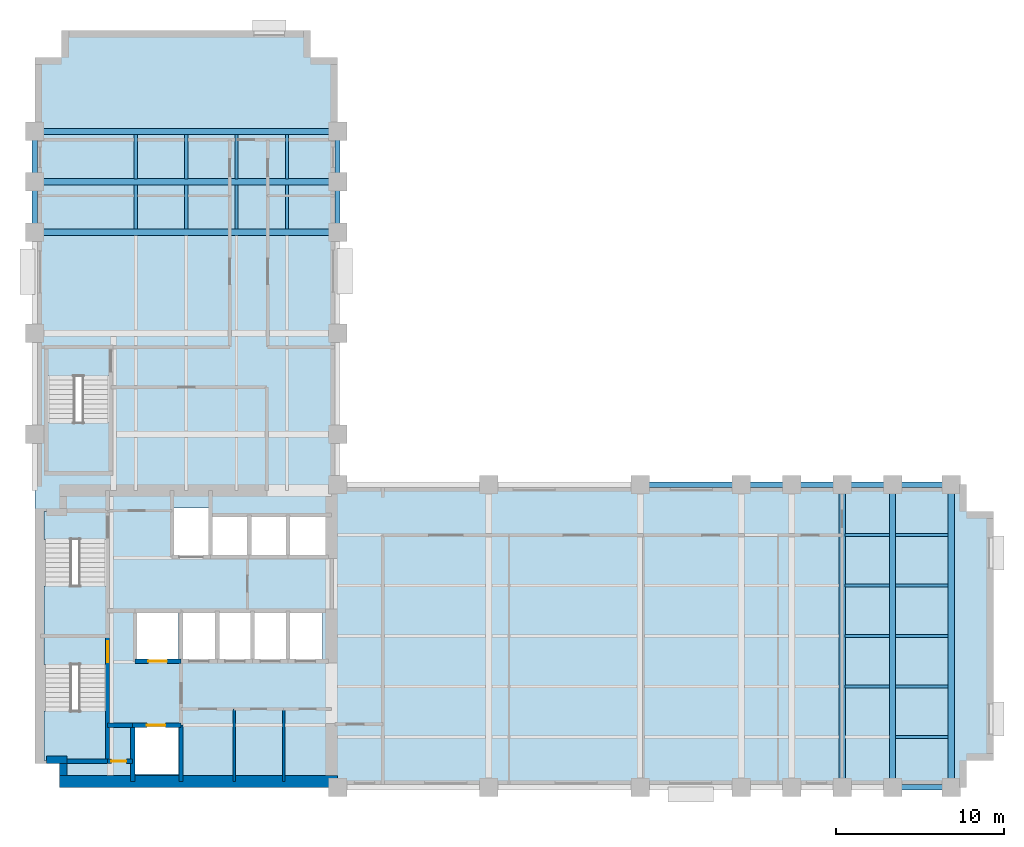
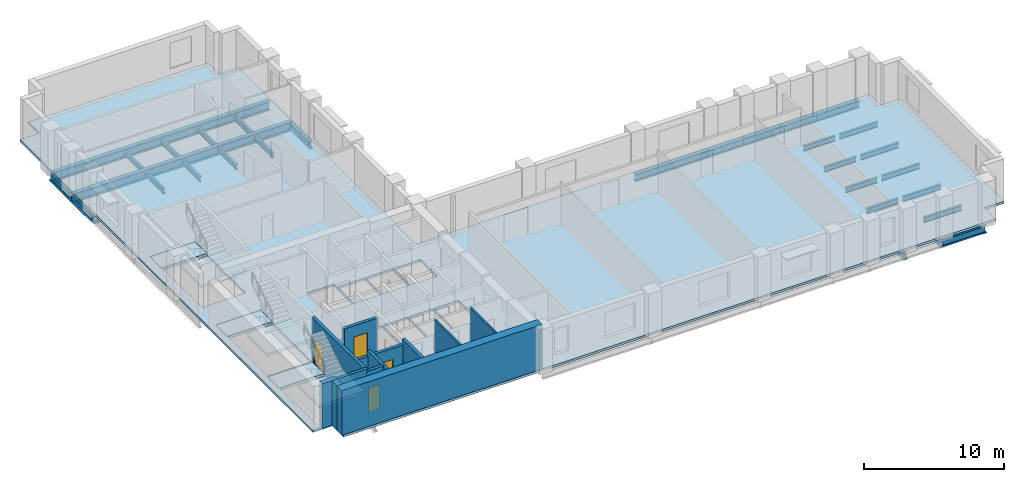
# One storey, part 2 of 8: 33 beams, 13 walls, 7 slabs, 4 doors, 4 openings, 3 elements without a shape of their own.
"""IFC4 building model written with IfcOpenShell, lengths in metres."""

from ifc_helpers import new_model, si_unit, direction, frame, frame_2d, origin, origin_2d, place, context, subcontext, project, spatial, polyline, rectangle, i_section, outline, extrude, material, layer, layer_set, material_profile, profile_set, type_object, element, fill, aggregate, save


model = new_model("IFC4")

# Units and contexts
model_context = context("Model", 3, precision=1e-05, world=origin(), true_north=direction((0.0, 1.0)))
body_context = subcontext(model_context, "Body", "Model", "MODEL_VIEW")
ifc_project = project(units=[si_unit("LENGTHUNIT", "METRE"), si_unit("AREAUNIT", "SQUARE_METRE"), si_unit("VOLUMEUNIT", "CUBIC_METRE"), si_unit("PLANEANGLEUNIT", "RADIAN"), si_unit("MASSUNIT", "GRAM", prefix="KILO")], contexts=[model_context])

# Site, building, storey
site_placement = place(None, origin())
site = spatial("IfcSite", under=ifc_project, at=site_placement, CompositionType="ELEMENT")
building_placement = place(site_placement, origin())
building = spatial("IfcBuilding", under=site, at=building_placement, Name="Mawjdan Bourse Tower", CompositionType="ELEMENT")
storey_placement = place(building_placement, frame((0.0, 0.0, 97.199951171875)))
storey = spatial("IfcBuildingStorey", under=building, at=storey_placement, Name="L22", CompositionType="ELEMENT", Elevation=97.199951171875)

# Beams
ifc_material_1 = material(Name="Structural Steel S355", Category="steel")
ifc_material_profile_1 = material_profile(ifc_material_1, i_section(OverallWidth=0.381103515625, OverallDepth=0.77294921875, WebThickness=0.0166015625, FlangeThickness=0.027099609375, FilletRadius=0.021728515625, at=origin_2d()), Name="W30X173")
ifc_profile_set_1 = profile_set([ifc_material_profile_1], Name="Structural Steel S355")
beam_type_1 = type_object("IfcBeamType", Name="GRD-W30X173", PredefinedType="BEAM", material=ifc_profile_set_1)
for number, where, z_axis, x_axis, name in (
    (1, (54.0, 3.0, -0.58642578125), (0.0, 1.0, 0.0), (-1.0, 0.0, 0.0), "L22 East Wing Clear-Span Girder 006"),
    (2, (57.0, 3.0, -0.58642578125), (0.0, 1.0, 0.0), (-1.0, 0.0, 0.0), "L22 East Wing Clear-Span Girder 007"),
    (3, (60.5, 3.0, -0.58642578125), (0.0, 1.0, 0.0), (-1.0, 0.0, 0.0), "L22 East Wing Clear-Span Girder 008"),
    (4, (6.0, 36.0, -0.58642578125), (1.0, 0.0, 0.0), (0.0, 1.0, 0.0), "L22 North Wing Clear-Span Girder 065"),
    (5, (6.0, 39.0, -0.58642578125), (1.0, 0.0, 0.0), (0.0, 1.0, 0.0), "L22 North Wing Clear-Span Girder 066"),
    (6, (6.0, 42.0, -0.58642578125), (1.0, 0.0, 0.0), (0.0, 1.0, 0.0), "L22 North Wing Clear-Span Girder 067"),
):
    element("IfcBeam", number, at=place(storey_placement, frame(where, z_axis=z_axis, x_axis=x_axis)), inside=storey, type_object=beam_type_1, Name=name, PredefinedType="BEAM", context=body_context, shape_type="SweptSolid", body=[
        extrude(i_section(OverallWidth=0.381103515625, OverallDepth=0.77294921875, WebThickness=0.0166015625, FlangeThickness=0.027099609375, FilletRadius=0.021728515625, at=origin_2d()), origin(), (0.0, 0.0, 1.0), 18.0),
    ])
ifc_material_profile_2 = material_profile(ifc_material_1, i_section(OverallWidth=0.19189453125, OverallDepth=0.462890625, WebThickness=0.010498046875, FlangeThickness=0.017578125, FilletRadius=0.01416015625, at=origin_2d()), Name="W18X60")
ifc_profile_set_2 = profile_set([ifc_material_profile_2], Name="Structural Steel S355")
beam_type_2 = type_object("IfcBeamType", Name="JST-W18X60", PredefinedType="JOIST", material=ifc_profile_set_2)
beam_1_placement = place(storey_placement, frame((57.1884765625, 6.0, -0.431396484375), z_axis=(1.0, 0.0, 0.0), x_axis=(0.0, 1.0, 0.0)))
element("IfcBeam", 7, at=beam_1_placement, inside=storey, type_object=beam_type_2, Name="L22 East Wing Composite Joist 029", PredefinedType="JOIST", context=body_context, shape_type="SweptSolid", body=[
    extrude(i_section(OverallWidth=0.19189453125, OverallDepth=0.462890625, WebThickness=0.010498046875, FlangeThickness=0.017578125, FilletRadius=0.01416015625, at=origin_2d()), origin(), (0.0, 0.0, 1.0), 3.123046875),
])
beam_2_placement = place(storey_placement, frame((54.1884765625, 9.0, -0.431396484375), z_axis=(1.0, 0.0, 0.0), x_axis=(0.0, 1.0, 0.0)))
element("IfcBeam", 8, at=beam_2_placement, inside=storey, type_object=beam_type_2, Name="L22 East Wing Composite Joist 035", PredefinedType="JOIST", context=body_context, shape_type="SweptSolid", body=[
    extrude(i_section(OverallWidth=0.19189453125, OverallDepth=0.462890625, WebThickness=0.010498046875, FlangeThickness=0.017578125, FilletRadius=0.01416015625, at=origin_2d()), origin(), (0.0, 0.0, 1.0), 2.623046875),
])
beam_3_placement = place(storey_placement, frame((57.1884765625, 9.0, -0.431396484375), z_axis=(1.0, 0.0, 0.0), x_axis=(0.0, 1.0, 0.0)))
element("IfcBeam", 9, at=beam_3_placement, inside=storey, type_object=beam_type_2, Name="L22 East Wing Composite Joist 036", PredefinedType="JOIST", context=body_context, shape_type="SweptSolid", body=[
    extrude(i_section(OverallWidth=0.19189453125, OverallDepth=0.462890625, WebThickness=0.010498046875, FlangeThickness=0.017578125, FilletRadius=0.01416015625, at=origin_2d()), origin(), (0.0, 0.0, 1.0), 3.123046875),
])
beam_4_placement = place(storey_placement, frame((54.1884765625, 12.0, -0.431396484375), z_axis=(1.0, 0.0, 0.0), x_axis=(0.0, 1.0, 0.0)))
element("IfcBeam", 10, at=beam_4_placement, inside=storey, type_object=beam_type_2, Name="L22 East Wing Composite Joist 042", PredefinedType="JOIST", context=body_context, shape_type="SweptSolid", body=[
    extrude(i_section(OverallWidth=0.19189453125, OverallDepth=0.462890625, WebThickness=0.010498046875, FlangeThickness=0.017578125, FilletRadius=0.01416015625, at=origin_2d()), origin(), (0.0, 0.0, 1.0), 2.623046875),
])
beam_5_placement = place(storey_placement, frame((57.1884765625, 12.0, -0.431396484375), z_axis=(1.0, 0.0, 0.0), x_axis=(0.0, 1.0, 0.0)))
element("IfcBeam", 11, at=beam_5_placement, inside=storey, type_object=beam_type_2, Name="L22 East Wing Composite Joist 043", PredefinedType="JOIST", context=body_context, shape_type="SweptSolid", body=[
    extrude(i_section(OverallWidth=0.19189453125, OverallDepth=0.462890625, WebThickness=0.010498046875, FlangeThickness=0.017578125, FilletRadius=0.01416015625, at=origin_2d()), origin(), (0.0, 0.0, 1.0), 3.123046875),
])
beam_6_placement = place(storey_placement, frame((54.1884765625, 15.0, -0.431396484375), z_axis=(1.0, 0.0, 0.0), x_axis=(0.0, 1.0, 0.0)))
element("IfcBeam", 12, at=beam_6_placement, inside=storey, type_object=beam_type_2, Name="L22 East Wing Composite Joist 049", PredefinedType="JOIST", context=body_context, shape_type="SweptSolid", body=[
    extrude(i_section(OverallWidth=0.19189453125, OverallDepth=0.462890625, WebThickness=0.010498046875, FlangeThickness=0.017578125, FilletRadius=0.01416015625, at=origin_2d()), origin(), (0.0, 0.0, 1.0), 2.623046875),
])
beam_7_placement = place(storey_placement, frame((57.1884765625, 15.0, -0.431396484375), z_axis=(1.0, 0.0, 0.0), x_axis=(0.0, 1.0, 0.0)))
element("IfcBeam", 13, at=beam_7_placement, inside=storey, type_object=beam_type_2, Name="L22 East Wing Composite Joist 050", PredefinedType="JOIST", context=body_context, shape_type="SweptSolid", body=[
    extrude(i_section(OverallWidth=0.19189453125, OverallDepth=0.462890625, WebThickness=0.010498046875, FlangeThickness=0.017578125, FilletRadius=0.01416015625, at=origin_2d()), origin(), (0.0, 0.0, 1.0), 3.123046875),
])
beam_8_placement = place(storey_placement, frame((54.1884765625, 18.0, -0.431396484375), z_axis=(1.0, 0.0, 0.0), x_axis=(0.0, 1.0, 0.0)))
element("IfcBeam", 14, at=beam_8_placement, inside=storey, type_object=beam_type_2, Name="L22 East Wing Composite Joist 056", PredefinedType="JOIST", context=body_context, shape_type="SweptSolid", body=[
    extrude(i_section(OverallWidth=0.19189453125, OverallDepth=0.462890625, WebThickness=0.010498046875, FlangeThickness=0.017578125, FilletRadius=0.01416015625, at=origin_2d()), origin(), (0.0, 0.0, 1.0), 2.623046875),
])
beam_9_placement = place(storey_placement, frame((57.1884765625, 18.0, -0.431396484375), z_axis=(1.0, 0.0, 0.0), x_axis=(0.0, 1.0, 0.0)))
element("IfcBeam", 15, at=beam_9_placement, inside=storey, type_object=beam_type_2, Name="L22 East Wing Composite Joist 057", PredefinedType="JOIST", context=body_context, shape_type="SweptSolid", body=[
    extrude(i_section(OverallWidth=0.19189453125, OverallDepth=0.462890625, WebThickness=0.010498046875, FlangeThickness=0.017578125, FilletRadius=0.01416015625, at=origin_2d()), origin(), (0.0, 0.0, 1.0), 3.123046875),
])
for number, where, z_axis, x_axis, name in (
    (16, (12.0, 36.1884765625, -0.431396484375), (0.0, 1.0, 0.0), (-1.0, 0.0, 0.0), "L22 North Wing Composite Joist 081"),
    (17, (12.0, 39.1884765625, -0.431396484375), (0.0, 1.0, 0.0), (-1.0, 0.0, 0.0), "L22 North Wing Composite Joist 082"),
    (18, (15.0, 36.1884765625, -0.431396484375), (0.0, 1.0, 0.0), (-1.0, 0.0, 0.0), "L22 North Wing Composite Joist 086"),
    (19, (15.0, 39.1884765625, -0.431396484375), (0.0, 1.0, 0.0), (-1.0, 0.0, 0.0), "L22 North Wing Composite Joist 087"),
    (20, (18.0, 36.1884765625, -0.431396484375), (0.0, 1.0, 0.0), (-1.0, 0.0, 0.0), "L22 North Wing Composite Joist 091"),
    (21, (18.0, 39.1884765625, -0.431396484375), (0.0, 1.0, 0.0), (-1.0, 0.0, 0.0), "L22 North Wing Composite Joist 092"),
    (22, (21.0, 36.1884765625, -0.431396484375), (0.0, 1.0, 0.0), (-1.0, 0.0, 0.0), "L22 North Wing Composite Joist 096"),
    (23, (21.0, 39.1884765625, -0.431396484375), (0.0, 1.0, 0.0), (-1.0, 0.0, 0.0), "L22 North Wing Composite Joist 097"),
):
    element("IfcBeam", number, at=place(storey_placement, frame(where, z_axis=z_axis, x_axis=x_axis)), inside=storey, type_object=beam_type_2, Name=name, PredefinedType="JOIST", context=body_context, shape_type="SweptSolid", body=[
        extrude(i_section(OverallWidth=0.19189453125, OverallDepth=0.462890625, WebThickness=0.010498046875, FlangeThickness=0.017578125, FilletRadius=0.01416015625, at=origin_2d()), origin(), (0.0, 0.0, 1.0), 2.623046875),
    ])
ifc_material_profile_3 = material_profile(ifc_material_1, i_section(OverallWidth=0.324951171875, OverallDepth=0.616943359375, WebThickness=0.013916015625, FlangeThickness=0.021484375, FilletRadius=0.017333984375, at=origin_2d()), Name="W24X117")
ifc_profile_set_3 = profile_set([ifc_material_profile_3], Name="Structural Steel S355")
beam_type_3 = type_object("IfcBeamType", Name="SPN-W24X117", PredefinedType="SPANDREL", material=ifc_profile_set_3)
beam_10_placement = place(storey_placement, frame((57.0, 3.0, -0.508544921875), z_axis=(1.0, 0.0, 0.0), x_axis=(0.0, 1.0, 0.0)))
element("IfcBeam", 24, at=beam_10_placement, inside=storey, type_object=beam_type_3, Name="L22 Perimeter Masonry-Shelf Spandrel 015", PredefinedType="SPANDREL", context=body_context, shape_type="SweptSolid", body=[
    extrude(i_section(OverallWidth=0.324951171875, OverallDepth=0.616943359375, WebThickness=0.013916015625, FlangeThickness=0.021484375, FilletRadius=0.017333984375, at=origin_2d()), origin(), (0.0, 0.0, 1.0), 3.5),
])
beam_11_placement = place(storey_placement, frame((42.0, 21.0, -0.508544921875), z_axis=(1.0, 0.0, 0.0), x_axis=(0.0, 1.0, 0.0)))
element("IfcBeam", 25, at=beam_11_placement, inside=storey, type_object=beam_type_3, Name="L22 Perimeter Masonry-Shelf Spandrel 018", PredefinedType="SPANDREL", context=body_context, shape_type="SweptSolid", body=[
    extrude(i_section(OverallWidth=0.324951171875, OverallDepth=0.616943359375, WebThickness=0.013916015625, FlangeThickness=0.021484375, FilletRadius=0.017333984375, at=origin_2d()), origin(), (0.0, 0.0, 1.0), 6.0),
])
for number, where, z_axis, x_axis, name in (
    (26, (48.0, 21.0, -0.508544921875), (1.0, 0.0, 0.0), (0.0, 1.0, 0.0), "L22 Perimeter Masonry-Shelf Spandrel 019"),
    (27, (51.0, 21.0, -0.508544921875), (1.0, 0.0, 0.0), (0.0, 1.0, 0.0), "L22 Perimeter Masonry-Shelf Spandrel 020"),
    (28, (54.0, 21.0, -0.508544921875), (1.0, 0.0, 0.0), (0.0, 1.0, 0.0), "L22 Perimeter Masonry-Shelf Spandrel 021"),
):
    element("IfcBeam", number, at=place(storey_placement, frame(where, z_axis=z_axis, x_axis=x_axis)), inside=storey, type_object=beam_type_3, Name=name, PredefinedType="SPANDREL", context=body_context, shape_type="SweptSolid", body=[
        extrude(i_section(OverallWidth=0.324951171875, OverallDepth=0.616943359375, WebThickness=0.013916015625, FlangeThickness=0.021484375, FilletRadius=0.017333984375, at=origin_2d()), origin(), (0.0, 0.0, 1.0), 3.0),
    ])
beam_12_placement = place(storey_placement, frame((57.0, 21.0, -0.508544921875), z_axis=(1.0, 0.0, 0.0), x_axis=(0.0, 1.0, 0.0)))
element("IfcBeam", 29, at=beam_12_placement, inside=storey, type_object=beam_type_3, Name="L22 Perimeter Masonry-Shelf Spandrel 022", PredefinedType="SPANDREL", context=body_context, shape_type="SweptSolid", body=[
    extrude(i_section(OverallWidth=0.324951171875, OverallDepth=0.616943359375, WebThickness=0.013916015625, FlangeThickness=0.021484375, FilletRadius=0.017333984375, at=origin_2d()), origin(), (0.0, 0.0, 1.0), 3.5),
])
for number, where, z_axis, x_axis, name in (
    (30, (6.0, 36.0, -0.508544921875), (0.0, 1.0, 0.0), (-1.0, 0.0, 0.0), "L22 North Wing Spandrel 071"),
    (31, (6.0, 39.0, -0.508544921875), (0.0, 1.0, 0.0), (-1.0, 0.0, 0.0), "L22 North Wing Spandrel 072"),
    (32, (24.0, 36.0, -0.508544921875), (0.0, 1.0, 0.0), (-1.0, 0.0, 0.0), "L22 North Wing Spandrel 076"),
    (33, (24.0, 39.0, -0.508544921875), (0.0, 1.0, 0.0), (-1.0, 0.0, 0.0), "L22 North Wing Spandrel 077"),
):
    element("IfcBeam", number, at=place(storey_placement, frame(where, z_axis=z_axis, x_axis=x_axis)), inside=storey, type_object=beam_type_3, Name=name, PredefinedType="SPANDREL", context=body_context, shape_type="SweptSolid", body=[
        extrude(i_section(OverallWidth=0.324951171875, OverallDepth=0.616943359375, WebThickness=0.013916015625, FlangeThickness=0.021484375, FilletRadius=0.017333984375, at=origin_2d()), origin(), (0.0, 0.0, 1.0), 3.0),
    ])

# Stair, slabs
ifc_material_2 = material(Name="Concrete C50/60", Category="concrete")
stair_type = type_object("IfcStairType", Name="STR-CORE-1500", PredefinedType="HALF_TURN_STAIR", material=ifc_material_2)
stair_1_placement = place(storey_placement, origin())
stair_1 = element("IfcStair", 34, at=stair_1_placement, inside=storey, type_object=stair_type, Name="L22 Exit Stair 1 (Core South-West)", PredefinedType="HALF_TURN_STAIR")
ifc_layer_1 = layer(ifc_material_2, 0.22998046875)
ifc_layer_set_1 = layer_set([ifc_layer_1], Name="Concrete C50/60")
slab_type_1 = type_object("IfcSlabType", Name="SL-LND-230", PredefinedType="LANDING", material=ifc_layer_set_1)
slab_1_placement = place(storey_placement, frame((0.0, 0.0, -0.22998046875)))
slab_1 = element("IfcSlab", 35, at=slab_1_placement, type_object=slab_type_1, Name="ST1-L22 landing 1", PredefinedType="LANDING", context=body_context, shape_type="SweptSolid", body=[
    extrude(outline(polyline([(6.5400390625, 10.31005859375), (10.260009765625, 10.31005859375), (10.260009765625, 11.969970703125), (6.5400390625, 11.969970703125), (6.5400390625, 10.31005859375)])), origin(), (0.0, 0.0, 1.0), 0.22998046875),
])
slab_2_placement = place(storey_placement, frame((0.0, 0.0, 1.719970703125)))
slab_2 = element("IfcSlab", 36, at=slab_2_placement, type_object=slab_type_1, Name="ST1-L22 landing 2", PredefinedType="LANDING", context=body_context, shape_type="SweptSolid", body=[
    extrude(outline(polyline([(6.5400390625, 4.590087890625), (10.260009765625, 4.590087890625), (10.260009765625, 7.5400390625), (6.5400390625, 7.5400390625), (6.5400390625, 4.590087890625)])), origin(), (0.0, 0.0, 1.0), 0.22998046875),
])
aggregate(stair_1, [slab_1, slab_2])

stair_2_placement = place(storey_placement, origin())
stair_2 = element("IfcStair", 37, at=stair_2_placement, inside=storey, type_object=stair_type, Name="L22 Exit Stair 2 (Core North-West)", PredefinedType="HALF_TURN_STAIR")
slab_3_placement = place(storey_placement, frame((0.0, 0.0, -0.22998046875)))
slab_3 = element("IfcSlab", 38, at=slab_3_placement, type_object=slab_type_1, Name="ST2-L22 landing 1", PredefinedType="LANDING", context=body_context, shape_type="SweptSolid", body=[
    extrude(outline(polyline([(6.5400390625, 17.75), (10.260009765625, 17.75), (10.260009765625, 19.409912109375), (6.5400390625, 19.409912109375), (6.5400390625, 17.75)])), origin(), (0.0, 0.0, 1.0), 0.22998046875),
])
slab_4_placement = place(storey_placement, frame((0.0, 0.0, 1.719970703125)))
slab_4 = element("IfcSlab", 39, at=slab_4_placement, type_object=slab_type_1, Name="ST2-L22 landing 2", PredefinedType="LANDING", context=body_context, shape_type="SweptSolid", body=[
    extrude(outline(polyline([(6.5400390625, 12.030029296875), (10.260009765625, 12.030029296875), (10.260009765625, 14.97998046875), (6.5400390625, 14.97998046875), (6.5400390625, 12.030029296875)])), origin(), (0.0, 0.0, 1.0), 0.22998046875),
])
aggregate(stair_2, [slab_3, slab_4])

stair_3_placement = place(storey_placement, origin())
stair_3 = element("IfcStair", 40, at=stair_3_placement, inside=storey, type_object=stair_type, Name="L22 Exit Stair 3 (North Wing)", PredefinedType="HALF_TURN_STAIR")
slab_5_placement = place(storey_placement, frame((0.0, 0.0, -0.22998046875)))
slab_5 = element("IfcSlab", 41, at=slab_5_placement, type_object=slab_type_1, Name="ST3-L22 landing 1", PredefinedType="LANDING", context=body_context, shape_type="SweptSolid", body=[
    extrude(outline(polyline([(6.739990234375, 27.4599609375), (10.4599609375, 27.4599609375), (10.4599609375, 29.1201171875), (6.739990234375, 29.1201171875), (6.739990234375, 27.4599609375)])), origin(), (0.0, 0.0, 1.0), 0.22998046875),
])
slab_6_placement = place(storey_placement, frame((0.0, 0.0, 1.719970703125)))
slab_6 = element("IfcSlab", 42, at=slab_6_placement, type_object=slab_type_1, Name="ST3-L22 landing 2", PredefinedType="LANDING", context=body_context, shape_type="SweptSolid", body=[
    extrude(outline(polyline([(6.739990234375, 21.739990234375), (10.4599609375, 21.739990234375), (10.4599609375, 24.68994140625), (6.739990234375, 24.68994140625), (6.739990234375, 21.739990234375)])), origin(), (0.0, 0.0, 1.0), 0.22998046875),
])
aggregate(stair_3, [slab_5, slab_6])

# Slab
ifc_layer_2 = layer(ifc_material_2, 0.199951171875)
ifc_layer_set_2 = layer_set([ifc_layer_2], Name="Concrete C50/60")
slab_type_2 = type_object("IfcSlabType", Name="SL-OFC-200", PredefinedType="FLOOR", material=ifc_layer_set_2)
slab_7_placement = place(storey_placement, frame((0.0, 0.0, -0.199951171875)))
element("IfcSlab", 43, at=slab_7_placement, inside=storey, type_object=slab_type_2, Name="L22 Structural Floor Slab 1", PredefinedType="FLOOR", context=body_context, shape_type="SweptSolid", body=[
    extrude(outline(polyline([(7.60009765625, 3.0), (61.39990234375, 3.0), (61.39990234375, 4.60009765625), (63.0, 4.60009765625), (63.0, 19.39990234375), (61.39990234375, 19.39990234375), (61.39990234375, 21.0), (24.0, 21.0), (24.0, 46.39990234375), (22.39990234375, 46.39990234375), (22.39990234375, 48.0), (7.60009765625, 48.0), (7.60009765625, 46.39990234375), (6.0, 46.39990234375), (6.0, 4.60009765625), (7.60009765625, 4.60009765625), (7.60009765625, 3.0)]), holes=[polyline([(11.949951171875, 3.800048828125), (11.949951171875, 6.60009765625), (14.550048828125, 6.60009765625), (14.550048828125, 3.800048828125), (11.949951171875, 3.800048828125)]), polyline([(6.60009765625, 10.31005859375), (6.5400390625, 10.31005859375), (6.5400390625, 11.969970703125), (10.260009765625, 11.969970703125), (10.260009765625, 10.31005859375), (10.199951171875, 10.31005859375), (10.199951171875, 4.64990234375), (6.60009765625, 4.64990234375), (6.60009765625, 10.31005859375)]), polyline([(12.050048828125, 10.60009765625), (12.050048828125, 13.39990234375), (14.550048828125, 13.39990234375), (14.550048828125, 10.60009765625), (12.050048828125, 10.60009765625)]), polyline([(10.260009765625, 19.409912109375), (10.260009765625, 17.75), (10.199951171875, 17.75), (10.199951171875, 12.090087890625), (6.60009765625, 12.090087890625), (6.60009765625, 17.75), (6.5400390625, 17.75), (6.5400390625, 19.409912109375), (10.260009765625, 19.409912109375)]), polyline([(10.4599609375, 29.1201171875), (10.4599609375, 27.4599609375), (10.39990234375, 27.4599609375), (10.39990234375, 21.800048828125), (6.800048828125, 21.800048828125), (6.800048828125, 27.4599609375), (6.739990234375, 27.4599609375), (6.739990234375, 29.1201171875), (10.4599609375, 29.1201171875)]), polyline([(14.800048828125, 10.60009765625), (14.800048828125, 13.39990234375), (16.800048828125, 13.39990234375), (16.800048828125, 10.60009765625), (14.800048828125, 10.60009765625)]), polyline([(16.89990234375, 10.60009765625), (16.89990234375, 13.39990234375), (18.89990234375, 13.39990234375), (18.89990234375, 10.60009765625), (16.89990234375, 10.60009765625)]), polyline([(19.0, 10.60009765625), (19.0, 13.39990234375), (21.0, 13.39990234375), (21.0, 10.60009765625), (19.0, 10.60009765625)]), polyline([(21.10009765625, 10.60009765625), (21.10009765625, 13.39990234375), (23.10009765625, 13.39990234375), (23.10009765625, 10.60009765625), (21.10009765625, 10.60009765625)]), polyline([(16.5, 16.800048828125), (16.5, 19.14990234375), (18.699951171875, 19.14990234375), (18.699951171875, 16.800048828125), (16.5, 16.800048828125)]), polyline([(18.800048828125, 16.800048828125), (18.800048828125, 19.14990234375), (21.0, 19.14990234375), (21.0, 16.800048828125), (18.800048828125, 16.800048828125)]), polyline([(21.10009765625, 16.800048828125), (21.10009765625, 19.14990234375), (23.300048828125, 19.14990234375), (23.300048828125, 16.800048828125), (21.10009765625, 16.800048828125)]), polyline([(14.199951171875, 16.800048828125), (14.199951171875, 19.60009765625), (16.39990234375, 19.60009765625), (16.39990234375, 16.800048828125), (14.199951171875, 16.800048828125)])]), origin(), (0.0, 0.0, 1.0), 0.199951171875),
])

# Walls
ifc_material_3 = material(Name="Concrete C60/75", Category="concrete")
ifc_layer_3 = layer(ifc_material_3, 0.449951171875)
ifc_layer_set_3 = layer_set([ifc_layer_3], Name="Concrete C60/75")
wall_type_1 = type_object("IfcWallType", Name="WL-CORE-450", PredefinedType="SHEAR", material=ifc_layer_set_3)
wall_1_placement = place(storey_placement, frame((6.699951171875, 4.64990234375, 0.0), z_axis=(0.0, 0.0, 1.0), x_axis=(1.0, 0.0, 0.0)))
element("IfcWall", 44, at=wall_1_placement, inside=storey, type_object=wall_type_1, Name="L22 Rear Core Shear Wall SW-X", PredefinedType="SHEAR", context=body_context, shape_type="SweptSolid", body=[
    extrude(rectangle(XDim=1.22509765625, YDim=0.449951171875, at=frame_2d((0.612548828125, 0.0))), origin(), (0.0, 0.0, 1.0), 3.900146484375),
])
wall_2_placement = place(storey_placement, frame((7.699951171875, 3.699951171875, 0.0), z_axis=(0.0, 0.0, 1.0), x_axis=(0.0, 1.0, 0.0)))
element("IfcWall", 45, at=wall_2_placement, inside=storey, type_object=wall_type_1, Name="L22 Rear Core Shear Wall SW-Y", PredefinedType="SHEAR", context=body_context, shape_type="SweptSolid", body=[
    extrude(rectangle(XDim=0.72509765625, YDim=0.449951171875, at=frame_2d((0.362548828125, 0.0))), origin(), (0.0, 0.0, 1.0), 3.900146484375),
])
ifc_material_4 = material(Name="Concrete C70/85", Category="concrete")
ifc_layer_4 = layer(ifc_material_4, 0.699951171875)
ifc_layer_set_4 = layer_set([ifc_layer_4], Name="Concrete C70/85")
wall_type_2 = type_object("IfcWallType", Name="WL-CORE-700", PredefinedType="SHEAR", material=ifc_layer_set_4)
wall_3_placement = place(storey_placement, frame((7.47509765625, 3.35009765625, 0.0), z_axis=(0.0, 0.0, 1.0), x_axis=(1.0, 0.0, 0.0)))
element("IfcWall", 46, at=wall_3_placement, inside=storey, type_object=wall_type_2, Name="L22 Rear Core Shear Wall S", PredefinedType="SHEAR", context=body_context, shape_type="SweptSolid", body=[
    extrude(rectangle(XDim=16.52490234375, YDim=0.699951171875, at=frame_2d((8.262451171875, 0.0))), origin(), (0.0, 0.0, 1.0), 3.900146484375),
])
ifc_material_5 = material(Name="Gypsum Acoustic Partition")
ifc_layer_5 = layer(ifc_material_5, 0.14990234375)
ifc_layer_set_5 = layer_set([ifc_layer_5], Name="Gypsum Acoustic Partition")
wall_type_3 = type_object("IfcWallType", Name="WL-PRT-150", PredefinedType="PARTITIONING", material=ifc_layer_set_5)
for number, where, z_axis, x_axis, name in (
    (47, (17.85009765625, 3.35009765625, 0.0), (0.0, 0.0, 1.0), (0.0, 1.0, 0.0), "L22 Electrical Switchboard Room Core Split Wall"),
    (48, (20.800048828125, 3.35009765625, 0.0), (0.0, 0.0, 1.0), (0.0, 1.0, 0.0), "L22 Staff Beverage Pantry Core Split Wall"),
):
    element("IfcWall", number, at=place(storey_placement, frame(where, z_axis=z_axis, x_axis=x_axis)), inside=storey, type_object=wall_type_3, Name=name, PredefinedType="PARTITIONING", context=body_context, shape_type="SweptSolid", body=[
        extrude(rectangle(XDim=4.309814453125, YDim=0.14990234375, at=frame_2d((2.15478515625, 0.0))), origin(), (0.0, 0.0, 1.0), 3.68994140625),
    ])

# Wall, opening, door
ifc_layer_6 = layer(ifc_material_2, 0.25)
ifc_layer_set_6 = layer_set([ifc_layer_6], Name="Concrete C50/60")
wall_type_4 = type_object("IfcWallType", Name="WL-SHFT-250", PredefinedType="PARTITIONING", material=ifc_layer_set_6)
wall_4_placement = place(storey_placement, frame((10.330078125, 4.550048828125, 0.0), z_axis=(0.0, 0.0, 1.0), x_axis=(1.0, 0.0, 0.0)))
wall_4 = element("IfcWall", 49, at=wall_4_placement, inside=storey, type_object=wall_type_4, Name="L22 SW Riser North Wall", PredefinedType="PARTITIONING", context=body_context, shape_type="SweptSolid", body=[
    extrude(rectangle(XDim=1.489990234375, YDim=0.25, at=frame_2d((0.7451171875, 0.0))), origin(), (0.0, 0.0, 1.0), 3.68994140625),
])
opening_1_placement = place(wall_4_placement, frame((0.219970703125, 0.0, 0.0)))
opening_1 = element("IfcOpeningElement", 50, at=opening_1_placement, cuts=wall_4, Name="Opening RD-L22-03", PredefinedType="OPENING", context=body_context, shape_type="SweptSolid", body=[
    extrude(rectangle(XDim=0.89990234375, YDim=2.10009765625, at=frame_2d((0.449951171875, 1.050048828125))), frame((0.0, 0.135009765625, 0.0), z_axis=(0.0, -1.0, 0.0), x_axis=(1.0, 0.0, 0.0)), (0.0, 0.0, 1.0), 0.27001953125),
])
ifc_material_6 = material(Name="Fire-Rated Steel Access Leaf", Category="steel")
door_type_1 = type_object("IfcDoorType", Name="FD-RSR-0900", OperationType="NOTDEFINED", PredefinedType="TRAPDOOR", material=ifc_material_6)
door_1_placement = place(opening_1_placement, origin())
door_1 = element("IfcDoor", 51, at=door_1_placement, inside=storey, type_object=door_type_1, Name="L22 Electrical Riser Access Door RD-L22-03", OperationType="SINGLE_SWING_LEFT", OverallHeight=2.10009765625, OverallWidth=0.89990234375, PredefinedType="TRAPDOOR", context=body_context, shape_type="SweptSolid", body=[
    extrude(rectangle(XDim=0.89990234375, YDim=2.10009765625, at=frame_2d((0.449951171875, 1.050048828125))), frame((0.0, 0.02490234375, 0.0), z_axis=(0.0, -1.0, 0.0), x_axis=(1.0, 0.0, 0.0)), (0.0, 0.0, 1.0), 0.050048828125),
])
fill(opening_1, door_1)

# Wall
wall_5_placement = place(storey_placement, frame((11.820068359375, 3.35009765625, 0.0), z_axis=(0.0, 0.0, 1.0), x_axis=(0.0, 1.0, 0.0)))
element("IfcWall", 52, at=wall_5_placement, inside=storey, type_object=wall_type_4, Name="L22 SW Riser & FFL01 West Wall", PredefinedType="PARTITIONING", context=body_context, shape_type="SweptSolid", body=[
    extrude(rectangle(XDim=3.349853515625, YDim=0.25, at=frame_2d((1.6748046875, 0.0))), origin(), (0.0, 0.0, 1.0), 3.68994140625),
])

# Wall, opening, door
wall_6_placement = place(storey_placement, frame((11.820068359375, 6.699951171875, 0.0), z_axis=(0.0, 0.0, 1.0), x_axis=(1.0, 0.0, 0.0)))
wall_6 = element("IfcWall", 53, at=wall_6_placement, inside=storey, type_object=wall_type_4, Name="L22 FFL-01 Front Shaft Wall", PredefinedType="PARTITIONING", context=body_context, shape_type="SweptSolid", body=[
    extrude(rectangle(XDim=2.8798828125, YDim=0.25, at=frame_2d((1.43994140625, 0.0))), origin(), (0.0, 0.0, 1.0), 3.22705078125),
])
opening_2_placement = place(wall_6_placement, frame((0.85009765625, 0.0, 0.0)))
opening_2 = element("IfcOpeningElement", 54, at=opening_2_placement, cuts=wall_6, Name="Opening LD-L22-05", PredefinedType="OPENING", context=body_context, shape_type="SweptSolid", body=[
    extrude(rectangle(XDim=1.10009765625, YDim=2.25, at=frame_2d((0.550048828125, 1.125))), frame((0.0, 0.135009765625, 0.0), z_axis=(0.0, -1.0, 0.0), x_axis=(1.0, 0.0, 0.0)), (0.0, 0.0, 1.0), 0.27001953125),
])
ifc_material_7 = material(Name="Brushed Stainless Steel", Category="steel")
door_type_2 = type_object("IfcDoorType", Name="LD-FFL-1100", OperationType="DOUBLE_DOOR_SLIDING", PredefinedType="DOOR", material=ifc_material_7)
door_2_placement = place(opening_2_placement, origin())
door_2 = element("IfcDoor", 55, at=door_2_placement, inside=storey, type_object=door_type_2, Name="L22 Firefighting Lift FFL-01 Landing Door LD-L22-05", OperationType="DOUBLE_DOOR_SLIDING", OverallHeight=2.25, OverallWidth=1.10009765625, PredefinedType="DOOR", context=body_context, shape_type="SweptSolid", body=[
    extrude(rectangle(XDim=1.10009765625, YDim=2.25, at=frame_2d((0.550048828125, 1.125))), frame((0.0, 0.02490234375, 0.0), z_axis=(0.0, -1.0, 0.0), x_axis=(1.0, 0.0, 0.0)), (0.0, 0.0, 1.0), 0.050048828125),
])
fill(opening_2, door_2)

# Wall
wall_7_placement = place(storey_placement, frame((14.699951171875, 3.35009765625, 0.0), z_axis=(0.0, 0.0, 1.0), x_axis=(0.0, 1.0, 0.0)))
element("IfcWall", 56, at=wall_7_placement, inside=storey, type_object=wall_type_4, Name="L22 FFL-01 East Shaft Wall", PredefinedType="PARTITIONING", context=body_context, shape_type="SweptSolid", body=[
    extrude(rectangle(XDim=3.349853515625, YDim=0.25, at=frame_2d((1.6748046875, 0.0))), origin(), (0.0, 0.0, 1.0), 3.68994140625),
])

# Wall, opening, door
wall_8_placement = place(storey_placement, frame((11.949951171875, 10.5, 0.0), z_axis=(0.0, 0.0, 1.0), x_axis=(1.0, 0.0, 0.0)))
wall_8 = element("IfcWall", 57, at=wall_8_placement, inside=storey, type_object=wall_type_4, Name="L22 FFL-02 Front Shaft Wall", PredefinedType="PARTITIONING", context=body_context, shape_type="SweptSolid", body=[
    extrude(rectangle(XDim=2.75, YDim=0.25, at=frame_2d((1.375, 0.0))), origin(), (0.0, 0.0, 1.0), 3.22705078125),
])
opening_3_placement = place(wall_8_placement, frame((0.800048828125, 0.0, 0.0)))
opening_3 = element("IfcOpeningElement", 58, at=opening_3_placement, cuts=wall_8, Name="Opening LD-L22-06", PredefinedType="OPENING", context=body_context, shape_type="SweptSolid", body=[
    extrude(rectangle(XDim=1.10009765625, YDim=2.25, at=frame_2d((0.550048828125, 1.125))), frame((0.0, 0.135009765625, 0.0), z_axis=(0.0, -1.0, 0.0), x_axis=(1.0, 0.0, 0.0)), (0.0, 0.0, 1.0), 0.27001953125),
])
door_3_placement = place(opening_3_placement, origin())
door_3 = element("IfcDoor", 59, at=door_3_placement, inside=storey, type_object=door_type_2, Name="L22 Firefighting Lift FFL-02 Landing Door LD-L22-06", OperationType="DOUBLE_DOOR_SLIDING", OverallHeight=2.25, OverallWidth=1.10009765625, PredefinedType="DOOR", context=body_context, shape_type="SweptSolid", body=[
    extrude(rectangle(XDim=1.10009765625, YDim=2.25, at=frame_2d((0.550048828125, 1.125))), frame((0.0, 0.02490234375, 0.0), z_axis=(0.0, -1.0, 0.0), x_axis=(1.0, 0.0, 0.0)), (0.0, 0.0, 1.0), 0.050048828125),
])
fill(opening_3, door_3)

# Walls
wall_9_placement = place(storey_placement, frame((10.330078125, 6.699951171875, 0.0), z_axis=(0.0, 0.0, 1.0), x_axis=(1.0, 0.0, 0.0)))
element("IfcWall", 60, at=wall_9_placement, inside=storey, type_object=wall_type_4, Name="L22 Firefighting Lobby South Closure Wall", PredefinedType="PARTITIONING", context=body_context, shape_type="SweptSolid", body=[
    extrude(rectangle(XDim=1.489990234375, YDim=0.25, at=frame_2d((0.7451171875, 0.0))), origin(), (0.0, 0.0, 1.0), 3.22705078125),
])
ifc_layer_7 = layer(ifc_material_2, 0.25)
ifc_layer_set_7 = layer_set([ifc_layer_7], Name="Concrete C50/60")
wall_type_5 = type_object("IfcWallType", Name="WL-STRW-250", PredefinedType="SHEAR", material=ifc_layer_set_7)
wall_10_placement = place(storey_placement, frame((7.699951171875, 4.550048828125, 0.0), z_axis=(0.0, 0.0, 1.0), x_axis=(1.0, 0.0, 0.0)))
element("IfcWall", 61, at=wall_10_placement, inside=storey, type_object=wall_type_5, Name="L22 Stairwell ST1 South Shaft Wall", PredefinedType="SHEAR", context=body_context, shape_type="SweptSolid", body=[
    extrude(rectangle(XDim=2.755126953125, YDim=0.25, at=frame_2d((1.37744140625, 0.0))), origin(), (0.0, 0.0, 1.0), 3.900146484375),
])

# Wall, opening, door
wall_11_placement = place(storey_placement, frame((10.330078125, 4.550048828125, 0.0), z_axis=(0.0, 0.0, 1.0), x_axis=(0.0, 1.0, 0.0)))
wall_11 = element("IfcWall", 62, at=wall_11_placement, inside=storey, type_object=wall_type_5, Name="L22 Stairwell ST1 East Enclosure Wall", PredefinedType="SHEAR", context=body_context, shape_type="SweptSolid", body=[
    extrude(rectangle(XDim=7.449951171875, YDim=0.25, at=frame_2d((3.72509765625, 0.0))), origin(), (0.0, 0.0, 1.0), 3.900146484375),
])
opening_4_placement = place(wall_11_placement, frame((5.89990234375, 0.0, 0.0)))
opening_4 = element("IfcOpeningElement", 63, at=opening_4_placement, cuts=wall_11, Name="Opening SD-L22-01", PredefinedType="OPENING", context=body_context, shape_type="SweptSolid", body=[
    extrude(rectangle(XDim=1.25, YDim=2.199951171875, at=frame_2d((0.625, 1.10009765625))), frame((0.0, 0.135009765625, 0.0), z_axis=(0.0, -1.0, 0.0), x_axis=(1.0, 0.0, 0.0)), (0.0, 0.0, 1.0), 0.27001953125),
])
ifc_material_8 = material(Name="Fire-Rated Steel Leaf", Category="steel")
door_type_3 = type_object("IfcDoorType", Name="FD-ST-1250", OperationType="NOTDEFINED", PredefinedType="DOOR", material=ifc_material_8)
door_4_placement = place(opening_4_placement, origin())
door_4 = element("IfcDoor", 64, at=door_4_placement, inside=storey, type_object=door_type_3, Name="L22 Exit Stair ST1 Fire Door SD-L22-01", OperationType="SINGLE_SWING_LEFT", OverallHeight=2.199951171875, OverallWidth=1.25, PredefinedType="DOOR", context=body_context, shape_type="SweptSolid", body=[
    extrude(rectangle(XDim=1.25, YDim=2.199951171875, at=frame_2d((0.625, 1.10009765625))), frame((0.0, 0.02490234375, 0.0), z_axis=(0.0, -1.0, 0.0), x_axis=(1.0, 0.0, 0.0)), (0.0, 0.0, 1.0), 0.050048828125),
])
fill(opening_4, door_4)

save(model, "model.ifc")
